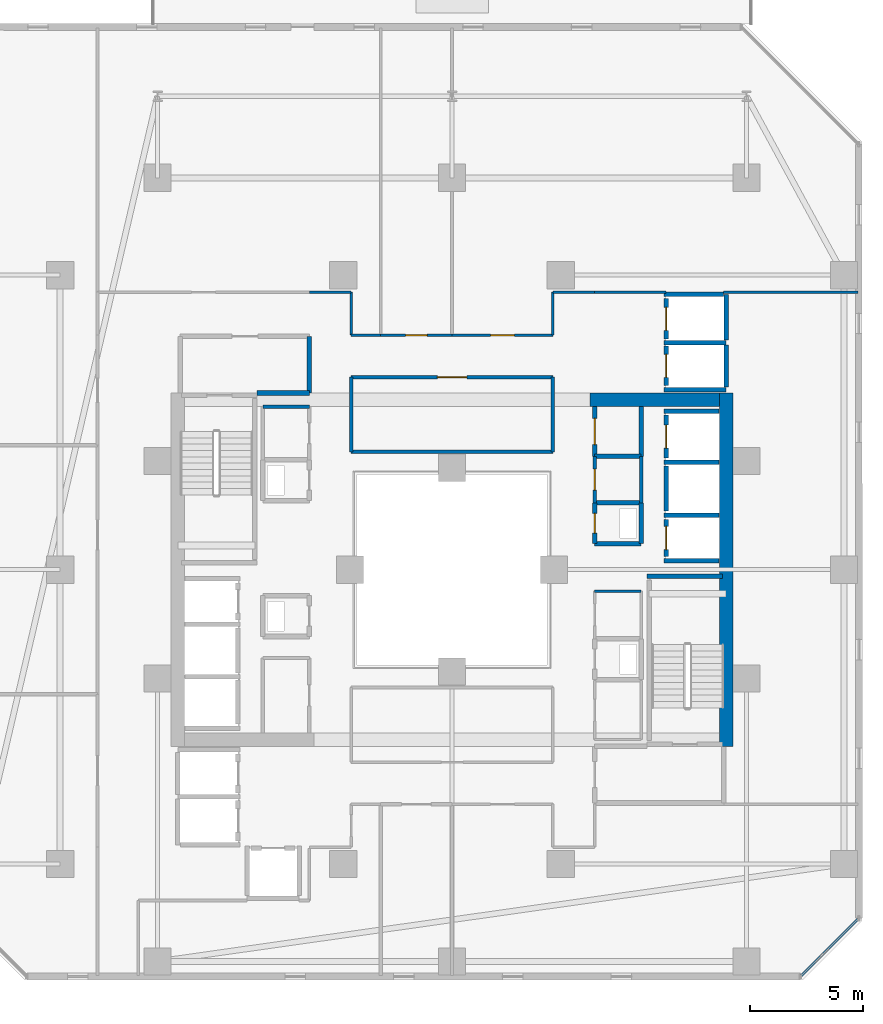
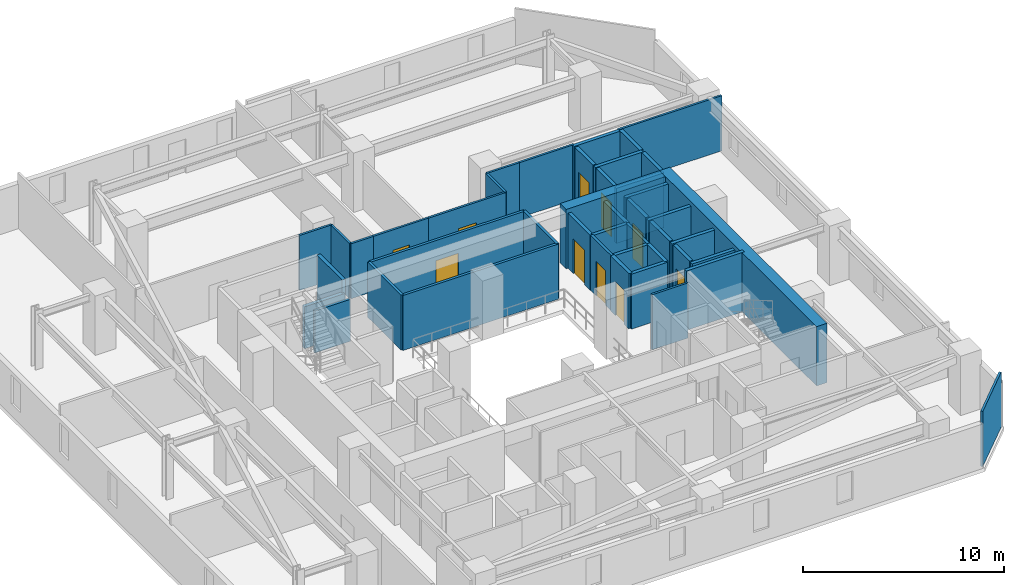
# One storey, part 23 of 31: 44 walls, 10 doors, 10 openings.
"""IFC4 building model written with IfcOpenShell, lengths in metres."""

from ifc_helpers import new_model, si_unit, direction, frame, frame_2d, origin, place, context, subcontext, project, spatial, rectangle, extrude, material, layer, layer_set, type_object, element, fill, save


model = new_model("IFC4")

# Units and contexts
model_context = context("Model", 3, precision=1e-05, world=origin(), true_north=direction((0.0, 1.0)))
body_context = subcontext(model_context, "Body", "Model", "MODEL_VIEW")
ifc_project = project(units=[si_unit("LENGTHUNIT", "METRE"), si_unit("AREAUNIT", "SQUARE_METRE"), si_unit("VOLUMEUNIT", "CUBIC_METRE"), si_unit("PLANEANGLEUNIT", "RADIAN"), si_unit("MASSUNIT", "GRAM", prefix="KILO")], contexts=[model_context])

# Site, building, storey
site_placement = place(None, origin())
site = spatial("IfcSite", under=ifc_project, at=site_placement, CompositionType="ELEMENT")
building_placement = place(site_placement, origin())
building = spatial("IfcBuilding", under=site, at=building_placement, Name="Thornwick Lancets Civic Towers", CompositionType="ELEMENT")
storey_placement = place(building_placement, frame((0.0, 0.0, 87.300048828125)))
storey = spatial("IfcBuildingStorey", under=building, at=storey_placement, Name="L22", CompositionType="ELEMENT", Elevation=87.300048828125)

# Wall, opening, door
ifc_material_1 = material(Name="Concrete blockwork C40/50", Category="masonry")
ifc_layer_1 = layer(ifc_material_1, 0.199951171875, Name="Concrete blockwork C40/50")
ifc_layer_set_1 = layer_set([ifc_layer_1], Name="Concrete blockwork C40/50")
wall_type_1 = type_object("IfcWallType", Name="WALL_COMP_200", PredefinedType="STANDARD", material=ifc_layer_set_1)
wall_1_placement = place(storey_placement, frame((97.949951171875, 29.219970703125, 0.0), z_axis=(0.0, 0.0, 1.0), x_axis=(0.0, -1.0, 0.0)))
wall_1 = element("IfcWall", 1, at=wall_1_placement, inside=storey, type_object=wall_type_1, Name="L22 Hoistway Front Wall FL-B1", PredefinedType="STANDARD", context=body_context, shape_type="SweptSolid", body=[
    extrude(rectangle(XDim=1.639892578125, YDim=0.199951171875, at=frame_2d((0.81982421875, 0.0))), origin(), (0.0, 0.0, 1.0), 3.33984375),
])
opening_1_placement = place(wall_1_placement, frame((0.31005859375, 0.0, 0.0)))
opening_1 = element("IfcOpeningElement", 2, at=opening_1_placement, cuts=wall_1, Name="Opening LD-FL-B1", PredefinedType="OPENING", context=body_context, shape_type="SweptSolid", body=[
    extrude(rectangle(XDim=1.02001953125, YDim=2.06005859375, at=frame_2d((0.510009765625, 1.030029296875))), frame((0.0, 0.10986328125, 0.0), z_axis=(0.0, -1.0, 0.0), x_axis=(1.0, 0.0, 0.0)), (0.0, 0.0, 1.0), 0.219970703125),
])
ifc_material_2 = material(Name="Brushed bronze stainless steel", Category="steel")
door_type_1 = type_object("IfcDoorType", Name="DOOR_LIFT_SLIDE", OperationType="SLIDING_TO_LEFT", PredefinedType="DOOR", material=ifc_material_2)
door_1_placement = place(opening_1_placement, origin())
door_1 = element("IfcDoor", 3, at=door_1_placement, inside=storey, type_object=door_type_1, Name="L22 Sliding Lift Landing Door LD-FL-B1", OperationType="SLIDING_TO_LEFT", OverallHeight=2.06005859375, OverallWidth=1.02001953125, PredefinedType="DOOR", context=body_context, shape_type="SweptSolid", body=[
    extrude(rectangle(XDim=1.02001953125, YDim=2.06005859375, at=frame_2d((0.510009765625, 1.030029296875))), frame((0.0, 0.02490234375, 0.0), z_axis=(0.0, -1.0, 0.0), x_axis=(1.0, 0.0, 0.0)), (0.0, 0.0, 1.0), 0.050048828125),
])
fill(opening_1, door_1)

# Wall
wall_2_placement = place(storey_placement, frame((97.949951171875, 31.570068359375, 0.0), z_axis=(0.0, 0.0, 1.0), x_axis=(0.0, -1.0, 0.0)))
element("IfcWall", 4, at=wall_2_placement, inside=storey, type_object=wall_type_1, Name="L22 Hoistway Front Wall PL-BH1", PredefinedType="STANDARD", context=body_context, shape_type="SweptSolid", body=[
    extrude(rectangle(XDim=1.989990234375, YDim=0.199951171875, at=frame_2d((0.9951171875, 0.0))), origin(), (0.0, 0.0, 1.0), 3.33984375),
])

# Wall, opening, door
wall_3_placement = place(storey_placement, frame((97.949951171875, 33.820068359375, 0.0), z_axis=(0.0, 0.0, 1.0), x_axis=(0.0, -1.0, 0.0)))
wall_3 = element("IfcWall", 5, at=wall_3_placement, inside=storey, type_object=wall_type_1, Name="L22 Hoistway Front Wall PL-BL1", PredefinedType="STANDARD", context=body_context, shape_type="SweptSolid", body=[
    extrude(rectangle(XDim=1.89013671875, YDim=0.199951171875, at=frame_2d((0.945068359375, 0.0))), origin(), (0.0, 0.0, 1.0), 3.33984375),
])
opening_2_placement = place(wall_3_placement, frame((0.43505859375, 0.0, 0.0)))
opening_2 = element("IfcOpeningElement", 6, at=opening_2_placement, cuts=wall_3, Name="Opening LD-PL-BL1", PredefinedType="OPENING", context=body_context, shape_type="SweptSolid", body=[
    extrude(rectangle(XDim=1.02001953125, YDim=2.06005859375, at=frame_2d((0.510009765625, 1.030029296875))), frame((0.0, 0.10986328125, 0.0), z_axis=(0.0, -1.0, 0.0), x_axis=(1.0, 0.0, 0.0)), (0.0, 0.0, 1.0), 0.219970703125),
])
door_2_placement = place(opening_2_placement, origin())
door_2 = element("IfcDoor", 7, at=door_2_placement, inside=storey, type_object=door_type_1, Name="L22 Sliding Lift Landing Door LD-PL-BL1", OperationType="SLIDING_TO_LEFT", OverallHeight=2.06005859375, OverallWidth=1.02001953125, PredefinedType="DOOR", context=body_context, shape_type="SweptSolid", body=[
    extrude(rectangle(XDim=1.02001953125, YDim=2.06005859375, at=frame_2d((0.510009765625, 1.030029296875))), frame((0.0, 0.02490234375, 0.0), z_axis=(0.0, -1.0, 0.0), x_axis=(1.0, 0.0, 0.0)), (0.0, 0.0, 1.0), 0.050048828125),
])
fill(opening_2, door_2)

wall_4_placement = place(storey_placement, frame((97.949951171875, 36.8701171875, 0.0), z_axis=(0.0, 0.0, 1.0), x_axis=(0.0, -1.0, 0.0)))
wall_4 = element("IfcWall", 8, at=wall_4_placement, inside=storey, type_object=wall_type_1, Name="L22 Hoistway Front Wall PL-BL2", PredefinedType="STANDARD", context=body_context, shape_type="SweptSolid", body=[
    extrude(rectangle(XDim=1.740234375, YDim=0.199951171875, at=frame_2d((0.8701171875, 0.0))), origin(), (0.0, 0.0, 1.0), 3.33984375),
])
opening_3_placement = place(wall_4_placement, frame((0.360107421875, 0.0, 0.0)))
opening_3 = element("IfcOpeningElement", 9, at=opening_3_placement, cuts=wall_4, Name="Opening LD-PL-BL2", PredefinedType="OPENING", context=body_context, shape_type="SweptSolid", body=[
    extrude(rectangle(XDim=1.02001953125, YDim=2.06005859375, at=frame_2d((0.510009765625, 1.030029296875))), frame((0.0, 0.10986328125, 0.0), z_axis=(0.0, -1.0, 0.0), x_axis=(1.0, 0.0, 0.0)), (0.0, 0.0, 1.0), 0.219970703125),
])
door_3_placement = place(opening_3_placement, origin())
door_3 = element("IfcDoor", 10, at=door_3_placement, inside=storey, type_object=door_type_1, Name="L22 Sliding Lift Landing Door LD-PL-BL2", OperationType="SLIDING_TO_LEFT", OverallHeight=2.06005859375, OverallWidth=1.02001953125, PredefinedType="DOOR", context=body_context, shape_type="SweptSolid", body=[
    extrude(rectangle(XDim=1.02001953125, YDim=2.06005859375, at=frame_2d((0.510009765625, 1.030029296875))), frame((0.0, 0.02490234375, 0.0), z_axis=(0.0, -1.0, 0.0), x_axis=(1.0, 0.0, 0.0)), (0.0, 0.0, 1.0), 0.050048828125),
])
fill(opening_3, door_3)

wall_5_placement = place(storey_placement, frame((97.949951171875, 38.969970703125, 0.0), z_axis=(0.0, 0.0, 1.0), x_axis=(0.0, -1.0, 0.0)))
wall_5 = element("IfcWall", 11, at=wall_5_placement, inside=storey, type_object=wall_type_1, Name="L22 Hoistway Front Wall PL-BL3", PredefinedType="STANDARD", context=body_context, shape_type="SweptSolid", body=[
    extrude(rectangle(XDim=1.7900390625, YDim=0.199951171875, at=frame_2d((0.89501953125, 0.0))), origin(), (0.0, 0.0, 1.0), 3.33984375),
])
opening_4_placement = place(wall_5_placement, frame((0.385009765625, 0.0, 0.0)))
opening_4 = element("IfcOpeningElement", 12, at=opening_4_placement, cuts=wall_5, Name="Opening LD-PL-BL3", PredefinedType="OPENING", context=body_context, shape_type="SweptSolid", body=[
    extrude(rectangle(XDim=1.02001953125, YDim=2.06005859375, at=frame_2d((0.510009765625, 1.030029296875))), frame((0.0, 0.10986328125, 0.0), z_axis=(0.0, -1.0, 0.0), x_axis=(1.0, 0.0, 0.0)), (0.0, 0.0, 1.0), 0.219970703125),
])
door_4_placement = place(opening_4_placement, origin())
door_4 = element("IfcDoor", 13, at=door_4_placement, inside=storey, type_object=door_type_1, Name="L22 Sliding Lift Landing Door LD-PL-BL3", OperationType="SLIDING_TO_LEFT", OverallHeight=2.06005859375, OverallWidth=1.02001953125, PredefinedType="DOOR", context=body_context, shape_type="SweptSolid", body=[
    extrude(rectangle(XDim=1.02001953125, YDim=2.06005859375, at=frame_2d((0.510009765625, 1.030029296875))), frame((0.0, 0.02490234375, 0.0), z_axis=(0.0, -1.0, 0.0), x_axis=(1.0, 0.0, 0.0)), (0.0, 0.0, 1.0), 0.050048828125),
])
fill(opening_4, door_4)

# Walls
for number, where, z_axis, x_axis, name in (
    (14, (97.85205078125, 29.39990234375, 0.0), (0.0, 0.0, 1.0), (1.0, 0.0, 0.0), "L22 Hoistway Shaft Wall FL-B1 N"),
    (15, (97.85205078125, 27.39990234375, 0.0), (0.0, 0.0, 1.0), (1.0, 0.0, 0.0), "L22 Hoistway Shaft Wall FL-B1 S"),
    (16, (97.85205078125, 31.75, 0.0), (0.0, 0.0, 1.0), (1.0, 0.0, 0.0), "L22 Hoistway Shaft Wall PL-BH1 N"),
    (17, (97.85205078125, 34.0, 0.0), (0.0, 0.0, 1.0), (1.0, 0.0, 0.0), "L22 Hoistway Shaft Wall PL-BL1 N"),
):
    element("IfcWall", number, at=place(storey_placement, frame(where, z_axis=z_axis, x_axis=x_axis)), inside=storey, type_object=wall_type_1, Name=name, PredefinedType="STANDARD", context=body_context, shape_type="SweptSolid", body=[
        extrude(rectangle(XDim=2.43603515625, YDim=0.199951171875, at=frame_2d((1.218017578125, 0.0))), origin(), (0.0, 0.0, 1.0), 3.33984375),
    ])
for number, where, z_axis, x_axis, name in (
    (18, (97.85205078125, 37.02490234375, 0.0), (0.0, 0.0, 1.0), (1.0, 0.0, 0.0), "L22 Hoistway Shaft Wall PL-BL2 N"),
    (19, (97.85205078125, 34.949951171875, 0.0), (0.0, 0.0, 1.0), (1.0, 0.0, 0.0), "L22 Hoistway Shaft Wall PL-BL2 S"),
):
    element("IfcWall", number, at=place(storey_placement, frame(where, z_axis=z_axis, x_axis=x_axis)), inside=storey, type_object=wall_type_1, Name=name, PredefinedType="STANDARD", context=body_context, shape_type="SweptSolid", body=[
        extrude(rectangle(XDim=2.745849609375, YDim=0.199951171875, at=frame_2d((1.373046875, 0.0))), origin(), (0.0, 0.0, 1.0), 3.33984375),
    ])
wall_6_placement = place(storey_placement, frame((100.60009765625, 35.06201171875, 0.0), z_axis=(0.0, 0.0, 1.0), x_axis=(0.0, 1.0, 0.0)))
element("IfcWall", 20, at=wall_6_placement, inside=storey, type_object=wall_type_1, Name="L22 Hoistway Shaft Wall PL-BL2 E", PredefinedType="STANDARD", context=body_context, shape_type="SweptSolid", body=[
    extrude(rectangle(XDim=1.85595703125, YDim=0.199951171875, at=frame_2d((0.927978515625, 0.0))), origin(), (0.0, 0.0, 1.0), 3.33984375),
])
wall_7_placement = place(storey_placement, frame((100.60009765625, 37.132080078125, 0.0), z_axis=(0.0, 0.0, 1.0), x_axis=(0.0, 1.0, 0.0)))
element("IfcWall", 21, at=wall_7_placement, inside=storey, type_object=wall_type_1, Name="L22 Hoistway Shaft Wall PL-BL2 E", PredefinedType="STANDARD", context=body_context, shape_type="SweptSolid", body=[
    extrude(rectangle(XDim=2.015869140625, YDim=0.199951171875, at=frame_2d((1.0078125, 0.0))), origin(), (0.0, 0.0, 1.0), 3.33984375),
])
wall_8_placement = place(storey_placement, frame((97.85205078125, 39.14990234375, 0.0), z_axis=(0.0, 0.0, 1.0), x_axis=(1.0, 0.0, 0.0)))
element("IfcWall", 22, at=wall_8_placement, inside=storey, type_object=wall_type_1, Name="L22 Hoistway Shaft Wall PL-BL3 N", PredefinedType="STANDARD", context=body_context, shape_type="SweptSolid", body=[
    extrude(rectangle(XDim=2.635986328125, YDim=0.199951171875, at=frame_2d((1.31787109375, 0.0))), origin(), (0.0, 0.0, 1.0), 3.33984375),
])
wall_9_placement = place(storey_placement, frame((79.89990234375, 34.800048828125, 0.0), z_axis=(0.0, 0.0, 1.0), x_axis=(1.0, 0.0, 0.0)))
element("IfcWall", 23, at=wall_9_placement, inside=storey, type_object=wall_type_1, Name="L22 Partition L22-B-FFLOB2 E1", PredefinedType="STANDARD", context=body_context, shape_type="SweptSolid", body=[
    extrude(rectangle(XDim=2.300048828125, YDim=0.199951171875, at=frame_2d((1.14990234375, 0.0))), origin(), (0.0, 0.0, 1.0), 2.544921875),
])
wall_10_placement = place(storey_placement, frame((82.199951171875, 34.800048828125, 0.0), z_axis=(0.0, 0.0, 1.0), x_axis=(0.0, 1.0, 0.0)))
element("IfcWall", 24, at=wall_10_placement, inside=storey, type_object=wall_type_1, Name="L22 Partition L22-B-FFLOB2 E2", PredefinedType="STANDARD", context=body_context, shape_type="SweptSolid", body=[
    extrude(rectangle(XDim=2.5, YDim=0.199951171875, at=frame_2d((1.25, 0.0))), origin(), (0.0, 0.0, 1.0), 3.33984375),
])
wall_11_placement = place(storey_placement, frame((94.800048828125, 28.14990234375, 0.0), z_axis=(0.0, 0.0, 1.0), x_axis=(1.0, 0.0, 0.0)))
element("IfcWall", 25, at=wall_11_placement, inside=storey, type_object=wall_type_1, Name="L22 Partition L22-B-DUCT1 E1", PredefinedType="STANDARD", context=body_context, shape_type="SweptSolid", body=[
    extrude(rectangle(XDim=2.050048828125, YDim=0.199951171875, at=frame_2d((1.02490234375, 0.0))), origin(), (0.0, 0.0, 1.0), 3.33984375),
])
wall_12_placement = place(storey_placement, frame((96.85009765625, 28.14990234375, 0.0), z_axis=(0.0, 0.0, 1.0), x_axis=(0.0, 1.0, 0.0)))
element("IfcWall", 26, at=wall_12_placement, inside=storey, type_object=wall_type_1, Name="L22 Partition L22-B-DUCT1 E2", PredefinedType="STANDARD", context=body_context, shape_type="SweptSolid", body=[
    extrude(rectangle(XDim=1.800048828125, YDim=0.199951171875, at=frame_2d((0.89990234375, 0.0))), origin(), (0.0, 0.0, 1.0), 3.33984375),
])
wall_13_placement = place(storey_placement, frame((96.85009765625, 29.949951171875, 0.0), z_axis=(0.0, 0.0, 1.0), x_axis=(-1.0, 0.0, 0.0)))
element("IfcWall", 27, at=wall_13_placement, inside=storey, type_object=wall_type_1, Name="L22 Partition L22-B-DUCT1 E3", PredefinedType="STANDARD", context=body_context, shape_type="SweptSolid", body=[
    extrude(rectangle(XDim=2.050048828125, YDim=0.199951171875, at=frame_2d((1.02490234375, 0.0))), origin(), (0.0, 0.0, 1.0), 3.33984375),
])

# Wall, opening, door
wall_14_placement = place(storey_placement, frame((94.800048828125, 29.949951171875, 0.0), z_axis=(0.0, 0.0, 1.0), x_axis=(0.0, -1.0, 0.0)))
wall_14 = element("IfcWall", 28, at=wall_14_placement, inside=storey, type_object=wall_type_1, Name="L22 Partition L22-B-DUCT1 E4", PredefinedType="STANDARD", context=body_context, shape_type="SweptSolid", body=[
    extrude(rectangle(XDim=1.800048828125, YDim=0.199951171875, at=frame_2d((0.89990234375, 0.0))), origin(), (0.0, 0.0, 1.0), 3.33984375),
])
opening_5_placement = place(wall_14_placement, frame((0.4599609375, 0.0, 0.0)))
opening_5 = element("IfcOpeningElement", 29, at=opening_5_placement, cuts=wall_14, Name="Opening D-L22-1021", PredefinedType="OPENING", context=body_context, shape_type="SweptSolid", body=[
    extrude(rectangle(XDim=0.8798828125, YDim=2.0400390625, at=frame_2d((0.43994140625, 1.02001953125))), frame((0.0, 0.10986328125, 0.0), z_axis=(0.0, -1.0, 0.0), x_axis=(1.0, 0.0, 0.0)), (0.0, 0.0, 1.0), 0.219970703125),
])
ifc_material_3 = material(Name="Steel riser access doorset", Category="steel")
door_type_2 = type_object("IfcDoorType", Name="DOOR_RISER_850", OperationType="NOTDEFINED", PredefinedType="DOOR", material=ifc_material_3)
door_5_placement = place(opening_5_placement, origin())
door_5 = element("IfcDoor", 30, at=door_5_placement, inside=storey, type_object=door_type_2, Name="L22 East Service Duct 1 Door", OperationType="SINGLE_SWING_RIGHT", OverallHeight=2.0400390625, OverallWidth=0.8798828125, PredefinedType="DOOR", context=body_context, shape_type="SweptSolid", body=[
    extrude(rectangle(XDim=0.8798828125, YDim=2.0400390625, at=frame_2d((0.43994140625, 1.02001953125))), frame((0.0, 0.02490234375, 0.0), z_axis=(0.0, -1.0, 0.0), x_axis=(1.0, 0.0, 0.0)), (0.0, 0.0, 1.0), 0.050048828125),
])
fill(opening_5, door_5)

wall_15_placement = place(storey_placement, frame((94.800048828125, 32.0, 0.0), z_axis=(0.0, 0.0, 1.0), x_axis=(0.0, 1.0, 0.0)))
wall_15 = element("IfcWall", 31, at=wall_15_placement, inside=storey, type_object=wall_type_1, Name="L22 Partition L22-B-STR2 E1", PredefinedType="STANDARD", context=body_context, shape_type="SweptSolid", body=[
    extrude(rectangle(XDim=2.199951171875, YDim=0.199951171875, at=frame_2d((1.10009765625, 0.0))), origin(), (0.0, 0.0, 1.0), 3.33984375),
])
opening_6_placement = place(wall_15_placement, frame((0.52490234375, 0.0, 0.0)))
opening_6 = element("IfcOpeningElement", 32, at=opening_6_placement, cuts=wall_15, Name="Opening D-L22-1028", PredefinedType="OPENING", context=body_context, shape_type="SweptSolid", body=[
    extrude(rectangle(XDim=1.14990234375, YDim=2.10009765625, at=frame_2d((0.574951171875, 1.050048828125))), frame((0.0, 0.10986328125, 0.0), z_axis=(0.0, -1.0, 0.0), x_axis=(1.0, 0.0, 0.0)), (0.0, 0.0, 1.0), 0.219970703125),
])
ifc_material_4 = material(Name="Glazed fire-resisting steel", Category="steel")
door_type_3 = type_object("IfcDoorType", Name="DOOR_LOBBY_FD60", OperationType="NOTDEFINED", PredefinedType="DOOR", material=ifc_material_4)
door_6_placement = place(opening_6_placement, origin())
door_6 = element("IfcDoor", 33, at=door_6_placement, inside=storey, type_object=door_type_3, Name="L22 Tower B Core Supplies Store Door", OperationType="SINGLE_SWING_LEFT", OverallHeight=2.10009765625, OverallWidth=1.14990234375, PredefinedType="DOOR", context=body_context, shape_type="SweptSolid", body=[
    extrude(rectangle(XDim=1.14990234375, YDim=2.10009765625, at=frame_2d((0.574951171875, 1.050048828125))), frame((0.0, 0.02490234375, 0.0), z_axis=(0.0, -1.0, 0.0), x_axis=(1.0, 0.0, 0.0)), (0.0, 0.0, 1.0), 0.050048828125),
])
fill(opening_6, door_6)

# Walls
wall_16_placement = place(storey_placement, frame((96.85009765625, 34.199951171875, 0.0), z_axis=(0.0, 0.0, 1.0), x_axis=(0.0, -1.0, 0.0)))
element("IfcWall", 34, at=wall_16_placement, inside=storey, type_object=wall_type_1, Name="L22 Partition L22-B-STR2 E3", PredefinedType="STANDARD", context=body_context, shape_type="SweptSolid", body=[
    extrude(rectangle(XDim=2.199951171875, YDim=0.199951171875, at=frame_2d((1.10009765625, 0.0))), origin(), (0.0, 0.0, 1.0), 3.33984375),
])
wall_17_placement = place(storey_placement, frame((96.85009765625, 32.0, 0.0), z_axis=(0.0, 0.0, 1.0), x_axis=(-1.0, 0.0, 0.0)))
element("IfcWall", 35, at=wall_17_placement, inside=storey, type_object=wall_type_1, Name="L22 Partition L22-B-STR2 E4", PredefinedType="STANDARD", context=body_context, shape_type="SweptSolid", body=[
    extrude(rectangle(XDim=2.050048828125, YDim=0.199951171875, at=frame_2d((1.02490234375, 0.0))), origin(), (0.0, 0.0, 1.0), 3.33984375),
])
ifc_material_5 = material(Name="Concrete C60/75", Category="concrete")
ifc_layer_2 = layer(ifc_material_5, 0.60009765625, Name="Concrete C60/75")
ifc_layer_set_2 = layer_set([ifc_layer_2], Name="Concrete C60/75")
wall_type_2 = type_object("IfcWallType", Name="WALL_CORE_600", PredefinedType="SHEAR", material=ifc_layer_set_2)
wall_18_placement = place(storey_placement, frame((100.60009765625, 19.199951171875, 0.0), z_axis=(0.0, 0.0, 1.0), x_axis=(0.0, 1.0, 0.0)))
element("IfcWall", 36, at=wall_18_placement, inside=storey, type_object=wall_type_2, Name="L22 Split Core B1 Shear Wall E", PredefinedType="SHEAR", context=body_context, shape_type="SweptSolid", body=[
    extrude(rectangle(XDim=15.60009765625, YDim=0.60009765625, at=frame_2d((7.800048828125, 0.0))), origin(), (0.0, 0.0, 1.0), 3.599853515625),
])
wall_19_placement = place(storey_placement, frame((94.60009765625, 34.5, 0.0), z_axis=(0.0, 0.0, 1.0), x_axis=(1.0, 0.0, 0.0)))
element("IfcWall", 37, at=wall_19_placement, inside=storey, type_object=wall_type_2, Name="L22 Split Core B1 Shear Wall N", PredefinedType="SHEAR", context=body_context, shape_type="SweptSolid", body=[
    extrude(rectangle(XDim=5.699951171875, YDim=0.60009765625, at=frame_2d((2.85009765625, 0.0))), origin(), (0.0, 0.0, 1.0), 3.599853515625),
])
ifc_material_6 = material(Name="Acoustic gypsum board partition")
ifc_layer_3 = layer(ifc_material_6, 0.1201171875, Name="Acoustic gypsum board partition")
ifc_layer_set_3 = layer_set([ifc_layer_3], Name="Acoustic gypsum board partition")
wall_type_3 = type_object("IfcWallType", Name="WALL_PART_120", PredefinedType="PARTITIONING", material=ifc_layer_set_3)
wall_20_placement = place(storey_placement, frame((94.800048828125, 26.050048828125, 0.0), z_axis=(0.0, 0.0, 1.0), x_axis=(1.0, 0.0, 0.0)))
element("IfcWall", 38, at=wall_20_placement, inside=storey, type_object=wall_type_3, Name="L22 Partition L22-B-ITR E2", PredefinedType="PARTITIONING", context=body_context, shape_type="SweptSolid", body=[
    extrude(rectangle(XDim=2.050048828125, YDim=0.1201171875, at=frame_2d((1.02490234375, 0.0))), origin(), (0.0, 0.0, 1.0), 3.33984375),
])
wall_21_placement = place(storey_placement, frame((106.419921875, 11.57470703125, 0.0), z_axis=(0.0, 0.0, 1.0), x_axis=(-0.707106781187, -0.707106781187, 0.0)))
element("IfcWall", 39, at=wall_21_placement, inside=storey, type_object=wall_type_3, Name="L22 Partition L22-B-W1 E6", PredefinedType="PARTITIONING", context=body_context, shape_type="SweptSolid", body=[
    extrude(rectangle(XDim=3.52783203125, YDim=0.1201171875, at=frame_2d((1.763916015625, 0.0))), origin(), (0.0, 0.0, 1.0), 3.33984375),
])
wall_22_placement = place(storey_placement, frame((106.419921875, 39.25, 0.0), z_axis=(0.0, 0.0, 1.0), x_axis=(-1.0, 0.0, 0.0)))
element("IfcWall", 40, at=wall_22_placement, inside=storey, type_object=wall_type_3, Name="L22 Partition L22-B-E1 E2", PredefinedType="PARTITIONING", context=body_context, shape_type="SweptSolid", body=[
    extrude(rectangle(XDim=5.931884765625, YDim=0.1201171875, at=frame_2d((2.9658203125, 0.0))), origin(), (0.0, 0.0, 1.0), 3.33984375),
])
wall_23_placement = place(storey_placement, frame((97.949951171875, 39.25, 0.0), z_axis=(0.0, 0.0, 1.0), x_axis=(-1.0, 0.0, 0.0)))
element("IfcWall", 41, at=wall_23_placement, inside=storey, type_object=wall_type_3, Name="L22 Partition L22-B-E1 E3", PredefinedType="PARTITIONING", context=body_context, shape_type="SweptSolid", body=[
    extrude(rectangle(XDim=3.14990234375, YDim=0.1201171875, at=frame_2d((1.574951171875, 0.0))), origin(), (0.0, 0.0, 1.0), 3.33984375),
])
wall_24_placement = place(storey_placement, frame((94.800048828125, 39.25, 0.0), z_axis=(0.0, 0.0, 1.0), x_axis=(-1.0, 0.0, 0.0)))
element("IfcWall", 42, at=wall_24_placement, inside=storey, type_object=wall_type_3, Name="L22 Partition L22-B-E1 E4", PredefinedType="PARTITIONING", context=body_context, shape_type="SweptSolid", body=[
    extrude(rectangle(XDim=1.85009765625, YDim=0.1201171875, at=frame_2d((0.925048828125, 0.0))), origin(), (0.0, 0.0, 1.0), 3.33984375),
])
wall_25_placement = place(storey_placement, frame((92.949951171875, 39.25, 0.0), z_axis=(0.0, 0.0, 1.0), x_axis=(0.0, -1.0, 0.0)))
element("IfcWall", 43, at=wall_25_placement, inside=storey, type_object=wall_type_3, Name="L22 Partition L22-B-E1 E5", PredefinedType="PARTITIONING", context=body_context, shape_type="SweptSolid", body=[
    extrude(rectangle(XDim=1.89990234375, YDim=0.1201171875, at=frame_2d((0.949951171875, 0.0))), origin(), (0.0, 0.0, 1.0), 3.33984375),
])

# Wall, opening, door
wall_26_placement = place(storey_placement, frame((92.949951171875, 37.35009765625, 0.0), z_axis=(0.0, 0.0, 1.0), x_axis=(-1.0, 0.0, 0.0)))
wall_26 = element("IfcWall", 44, at=wall_26_placement, inside=storey, type_object=wall_type_3, Name="L22 Partition L22-B-E1 E6", PredefinedType="PARTITIONING", context=body_context, shape_type="SweptSolid", body=[
    extrude(rectangle(XDim=4.449951171875, YDim=0.1201171875, at=frame_2d((2.22509765625, 0.0))), origin(), (0.0, 0.0, 1.0), 3.33984375),
])
opening_7_placement = place(wall_26_placement, frame((1.699951171875, 0.0, 0.0)))
opening_7 = element("IfcOpeningElement", 45, at=opening_7_placement, cuts=wall_26, Name="Opening D-L22-1045", PredefinedType="OPENING", context=body_context, shape_type="SweptSolid", body=[
    extrude(rectangle(XDim=1.050048828125, YDim=2.10009765625, at=frame_2d((0.52490234375, 1.050048828125))), frame((0.0, 0.070068359375, 0.0), z_axis=(0.0, -1.0, 0.0), x_axis=(1.0, 0.0, 0.0)), (0.0, 0.0, 1.0), 0.14013671875),
])
ifc_material_7 = material(Name="Glazed European oak executive doorset")
door_type_4 = type_object("IfcDoorType", Name="DOOR_OFFICE_1050", OperationType="NOTDEFINED", PredefinedType="DOOR", material=ifc_material_7)
door_7_placement = place(opening_7_placement, origin())
door_7 = element("IfcDoor", 46, at=door_7_placement, inside=storey, type_object=door_type_4, Name="L22 Tower B Secretariat Open Office E1 Door", OperationType="SINGLE_SWING_RIGHT", OverallHeight=2.10009765625, OverallWidth=1.050048828125, PredefinedType="DOOR", context=body_context, shape_type="SweptSolid", body=[
    extrude(rectangle(XDim=1.050048828125, YDim=2.10009765625, at=frame_2d((0.52490234375, 1.050048828125))), frame((0.0, 0.02490234375, 0.0), z_axis=(0.0, -1.0, 0.0), x_axis=(1.0, 0.0, 0.0)), (0.0, 0.0, 1.0), 0.050048828125),
])
fill(opening_7, door_7)

wall_27_placement = place(storey_placement, frame((88.5, 37.35009765625, 0.0), z_axis=(0.0, 0.0, 1.0), x_axis=(-1.0, 0.0, 0.0)))
wall_27 = element("IfcWall", 47, at=wall_27_placement, inside=storey, type_object=wall_type_3, Name="L22 Partition L22-B-E2 E4", PredefinedType="PARTITIONING", context=body_context, shape_type="SweptSolid", body=[
    extrude(rectangle(XDim=3.14990234375, YDim=0.1201171875, at=frame_2d((1.574951171875, 0.0))), origin(), (0.0, 0.0, 1.0), 3.33984375),
])
opening_8_placement = place(wall_27_placement, frame((1.10009765625, 0.0, 0.0)))
opening_8 = element("IfcOpeningElement", 48, at=opening_8_placement, cuts=wall_27, Name="Opening D-L22-1046", PredefinedType="OPENING", context=body_context, shape_type="SweptSolid", body=[
    extrude(rectangle(XDim=0.949951171875, YDim=2.10009765625, at=frame_2d((0.47509765625, 1.050048828125))), frame((0.0, 0.070068359375, 0.0), z_axis=(0.0, -1.0, 0.0), x_axis=(1.0, 0.0, 0.0)), (0.0, 0.0, 1.0), 0.14013671875),
])
ifc_material_8 = material(Name="European oak acoustic doorset")
door_type_5 = type_object("IfcDoorType", Name="DOOR_OFFICE_950", OperationType="NOTDEFINED", PredefinedType="DOOR", material=ifc_material_8)
door_8_placement = place(opening_8_placement, origin())
door_8 = element("IfcDoor", 49, at=door_8_placement, inside=storey, type_object=door_type_5, Name="L22 Tower B Visitors Reception and Waiting Door", OperationType="SINGLE_SWING_LEFT", OverallHeight=2.10009765625, OverallWidth=0.949951171875, PredefinedType="DOOR", context=body_context, shape_type="SweptSolid", body=[
    extrude(rectangle(XDim=0.949951171875, YDim=2.10009765625, at=frame_2d((0.47509765625, 1.050048828125))), frame((0.0, 0.02490234375, 0.0), z_axis=(0.0, -1.0, 0.0), x_axis=(1.0, 0.0, 0.0)), (0.0, 0.0, 1.0), 0.050048828125),
])
fill(opening_8, door_8)

# Walls
wall_28_placement = place(storey_placement, frame((84.050048828125, 37.35009765625, 0.0), z_axis=(0.0, 0.0, 1.0), x_axis=(0.0, 1.0, 0.0)))
element("IfcWall", 50, at=wall_28_placement, inside=storey, type_object=wall_type_3, Name="L22 Partition L22-B-E3 E1", PredefinedType="PARTITIONING", context=body_context, shape_type="SweptSolid", body=[
    extrude(rectangle(XDim=1.89990234375, YDim=0.1201171875, at=frame_2d((0.949951171875, 0.0))), origin(), (0.0, 0.0, 1.0), 3.33984375),
])
wall_29_placement = place(storey_placement, frame((84.050048828125, 39.25, 0.0), z_axis=(0.0, 0.0, 1.0), x_axis=(-1.0, 0.0, 0.0)))
element("IfcWall", 51, at=wall_29_placement, inside=storey, type_object=wall_type_3, Name="L22 Partition L22-B-E3 E2", PredefinedType="PARTITIONING", context=body_context, shape_type="SweptSolid", body=[
    extrude(rectangle(XDim=1.85009765625, YDim=0.1201171875, at=frame_2d((0.925048828125, 0.0))), origin(), (0.0, 0.0, 1.0), 3.33984375),
])
wall_30_placement = place(storey_placement, frame((85.35009765625, 37.35009765625, 0.0), z_axis=(0.0, 0.0, 1.0), x_axis=(-1.0, 0.0, 0.0)))
element("IfcWall", 52, at=wall_30_placement, inside=storey, type_object=wall_type_3, Name="L22 Partition L22-B-E3 E7", PredefinedType="PARTITIONING", context=body_context, shape_type="SweptSolid", body=[
    extrude(rectangle(XDim=1.300048828125, YDim=0.1201171875, at=frame_2d((0.64990234375, 0.0))), origin(), (0.0, 0.0, 1.0), 3.33984375),
])

# Wall, opening, door
ifc_material_9 = material(Name="Twin-stud acoustic gypsum board")
ifc_layer_4 = layer(ifc_material_9, 0.14990234375, Name="Twin-stud acoustic gypsum board")
ifc_layer_set_4 = layer_set([ifc_layer_4], Name="Twin-stud acoustic gypsum board")
wall_type_4 = type_object("IfcWallType", Name="WALL_PART_150", PredefinedType="PARTITIONING", material=ifc_layer_set_4)
wall_31_placement = place(storey_placement, frame((94.800048828125, 29.949951171875, 0.0), z_axis=(0.0, 0.0, 1.0), x_axis=(0.0, 1.0, 0.0)))
wall_31 = element("IfcWall", 53, at=wall_31_placement, inside=storey, type_object=wall_type_4, Name="L22 Partition L22-B-AWC E1", PredefinedType="PARTITIONING", context=body_context, shape_type="SweptSolid", body=[
    extrude(rectangle(XDim=2.050048828125, YDim=0.14990234375, at=frame_2d((1.02490234375, 0.0))), origin(), (0.0, 0.0, 1.0), 3.33984375),
])
opening_9_placement = place(wall_31_placement, frame((0.56494140625, 0.0, 0.0)))
opening_9 = element("IfcOpeningElement", 54, at=opening_9_placement, cuts=wall_31, Name="Opening D-L22-1027", PredefinedType="OPENING", context=body_context, shape_type="SweptSolid", body=[
    extrude(rectangle(XDim=0.919921875, YDim=2.080078125, at=frame_2d((0.4599609375, 1.0400390625))), frame((0.0, 0.0849609375, 0.0), z_axis=(0.0, -1.0, 0.0), x_axis=(1.0, 0.0, 0.0)), (0.0, 0.0, 1.0), 0.169921875),
])
ifc_material_10 = material(Name="Moisture-resistant oak doorset")
door_type_6 = type_object("IfcDoorType", Name="DOOR_WC_900", OperationType="NOTDEFINED", PredefinedType="DOOR", material=ifc_material_10)
door_9_placement = place(opening_9_placement, origin())
door_9 = element("IfcDoor", 55, at=door_9_placement, inside=storey, type_object=door_type_6, Name="L22 Tower B Accessible WC Door", OperationType="SINGLE_SWING_RIGHT", OverallHeight=2.080078125, OverallWidth=0.919921875, PredefinedType="DOOR", context=body_context, shape_type="SweptSolid", body=[
    extrude(rectangle(XDim=0.919921875, YDim=2.080078125, at=frame_2d((0.4599609375, 1.0400390625))), frame((0.0, 0.02490234375, 0.0), z_axis=(0.0, -1.0, 0.0), x_axis=(1.0, 0.0, 0.0)), (0.0, 0.0, 1.0), 0.050048828125),
])
fill(opening_9, door_9)

# Walls
wall_32_placement = place(storey_placement, frame((96.85009765625, 32.0, 0.0), z_axis=(0.0, 0.0, 1.0), x_axis=(0.0, -1.0, 0.0)))
element("IfcWall", 56, at=wall_32_placement, inside=storey, type_object=wall_type_4, Name="L22 Partition L22-B-AWC E3", PredefinedType="PARTITIONING", context=body_context, shape_type="SweptSolid", body=[
    extrude(rectangle(XDim=2.050048828125, YDim=0.14990234375, at=frame_2d((1.02490234375, 0.0))), origin(), (0.0, 0.0, 1.0), 3.33984375),
])
wall_33_placement = place(storey_placement, frame((80.14990234375, 34.199951171875, 0.0), z_axis=(0.0, 0.0, 1.0), x_axis=(1.0, 0.0, 0.0)))
element("IfcWall", 57, at=wall_33_placement, inside=storey, type_object=wall_type_4, Name="L22 Partition L22-B-FWC E2", PredefinedType="PARTITIONING", context=body_context, shape_type="SweptSolid", body=[
    extrude(rectangle(XDim=2.050048828125, YDim=0.14990234375, at=frame_2d((1.02490234375, 0.0))), origin(), (0.0, 0.0, 1.0), 2.544921875),
])
wall_34_placement = place(storey_placement, frame((84.050048828125, 32.199951171875, 0.0), z_axis=(0.0, 0.0, 1.0), x_axis=(0.0, 1.0, 0.0)))
element("IfcWall", 58, at=wall_34_placement, inside=storey, type_object=wall_type_4, Name="L22 Partition L22-B-ATR-E E1", PredefinedType="PARTITIONING", context=body_context, shape_type="SweptSolid", body=[
    extrude(rectangle(XDim=3.300048828125, YDim=0.14990234375, at=frame_2d((1.64990234375, 0.0))), origin(), (0.0, 0.0, 1.0), 3.33984375),
])

# Wall, opening, door
wall_35_placement = place(storey_placement, frame((84.050048828125, 35.5, 0.0), z_axis=(0.0, 0.0, 1.0), x_axis=(1.0, 0.0, 0.0)))
wall_35 = element("IfcWall", 59, at=wall_35_placement, inside=storey, type_object=wall_type_4, Name="L22 Partition L22-B-ATR-E E2", PredefinedType="PARTITIONING", context=body_context, shape_type="SweptSolid", body=[
    extrude(rectangle(XDim=8.89990234375, YDim=0.14990234375, at=frame_2d((4.449951171875, 0.0))), origin(), (0.0, 0.0, 1.0), 3.33984375),
])
opening_10_placement = place(wall_35_placement, frame((3.800048828125, 0.0, 0.0)))
opening_10 = element("IfcOpeningElement", 60, at=opening_10_placement, cuts=wall_35, Name="Opening D-L22-1048", PredefinedType="OPENING", context=body_context, shape_type="SweptSolid", body=[
    extrude(rectangle(XDim=1.300048828125, YDim=2.1201171875, at=frame_2d((0.64990234375, 1.06005859375))), frame((0.0, 0.0849609375, 0.0), z_axis=(0.0, -1.0, 0.0), x_axis=(1.0, 0.0, 0.0)), (0.0, 0.0, 1.0), 0.169921875),
])
ifc_material_11 = material(Name="Acoustic oak leaf-and-a-half doorset")
door_type_7 = type_object("IfcDoorType", Name="DOOR_MEET_1300", OperationType="DOUBLE_DOOR_SINGLE_SWING", PredefinedType="DOOR", material=ifc_material_11)
door_10_placement = place(opening_10_placement, origin())
door_10 = element("IfcDoor", 61, at=door_10_placement, inside=storey, type_object=door_type_7, Name="L22 Tower B East Atrium Briefing Suite Door", OperationType="DOUBLE_DOOR_SINGLE_SWING", OverallHeight=2.1201171875, OverallWidth=1.300048828125, PredefinedType="DOOR", context=body_context, shape_type="SweptSolid", body=[
    extrude(rectangle(XDim=1.300048828125, YDim=2.1201171875, at=frame_2d((0.64990234375, 1.06005859375))), frame((0.0, 0.02490234375, 0.0), z_axis=(0.0, -1.0, 0.0), x_axis=(1.0, 0.0, 0.0)), (0.0, 0.0, 1.0), 0.050048828125),
])
fill(opening_10, door_10)

# Walls
wall_36_placement = place(storey_placement, frame((92.949951171875, 35.5, 0.0), z_axis=(0.0, 0.0, 1.0), x_axis=(0.0, -1.0, 0.0)))
element("IfcWall", 62, at=wall_36_placement, inside=storey, type_object=wall_type_4, Name="L22 Partition L22-B-ATR-E E3", PredefinedType="PARTITIONING", context=body_context, shape_type="SweptSolid", body=[
    extrude(rectangle(XDim=3.300048828125, YDim=0.14990234375, at=frame_2d((1.64990234375, 0.0))), origin(), (0.0, 0.0, 1.0), 3.33984375),
])
wall_37_placement = place(storey_placement, frame((92.949951171875, 32.199951171875, 0.0), z_axis=(0.0, 0.0, 1.0), x_axis=(-1.0, 0.0, 0.0)))
element("IfcWall", 63, at=wall_37_placement, inside=storey, type_object=wall_type_4, Name="L22 Partition L22-B-ATR-E E4", PredefinedType="PARTITIONING", context=body_context, shape_type="SweptSolid", body=[
    extrude(rectangle(XDim=8.89990234375, YDim=0.14990234375, at=frame_2d((4.449951171875, 0.0))), origin(), (0.0, 0.0, 1.0), 3.33984375),
])
ifc_material_12 = material(Name="Concrete C40/50", Category="concrete")
ifc_layer_5 = layer(ifc_material_12, 0.199951171875, Name="Concrete C40/50")
ifc_layer_set_5 = layer_set([ifc_layer_5], Name="Concrete C40/50")
wall_type_5 = type_object("IfcWallType", Name="WALL_SHAFT_200", PredefinedType="SHEAR", material=ifc_layer_set_5)
wall_38_placement = place(storey_placement, frame((97.10009765625, 26.699951171875, 0.0), z_axis=(0.0, 0.0, 1.0), x_axis=(1.0, 0.0, 0.0)))
element("IfcWall", 64, at=wall_38_placement, inside=storey, type_object=wall_type_5, Name="L22 ST-B1 Fire Stair Core Wall FAR", PredefinedType="SHEAR", context=body_context, shape_type="SweptSolid", body=[
    extrude(rectangle(XDim=3.349853515625, YDim=0.199951171875, at=frame_2d((1.6748046875, 0.0))), origin(), (0.0, 0.0, 1.0), 3.599853515625),
])

save(model, "model.ifc")
